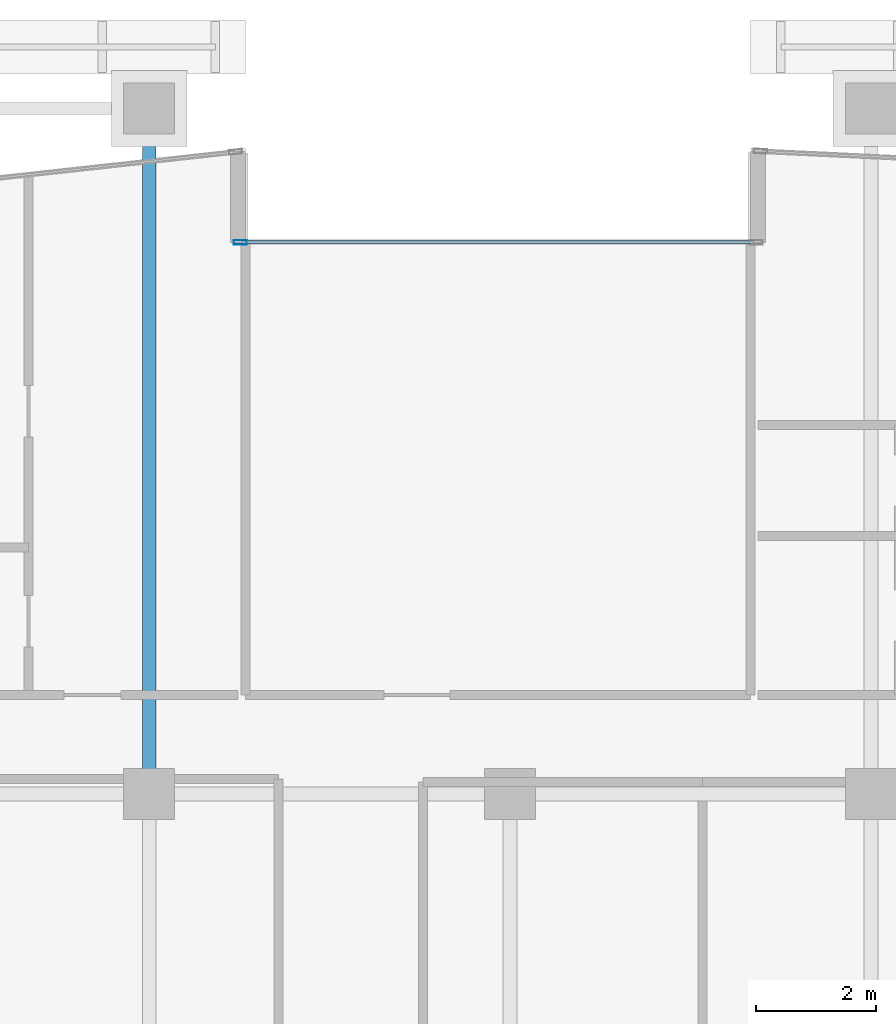
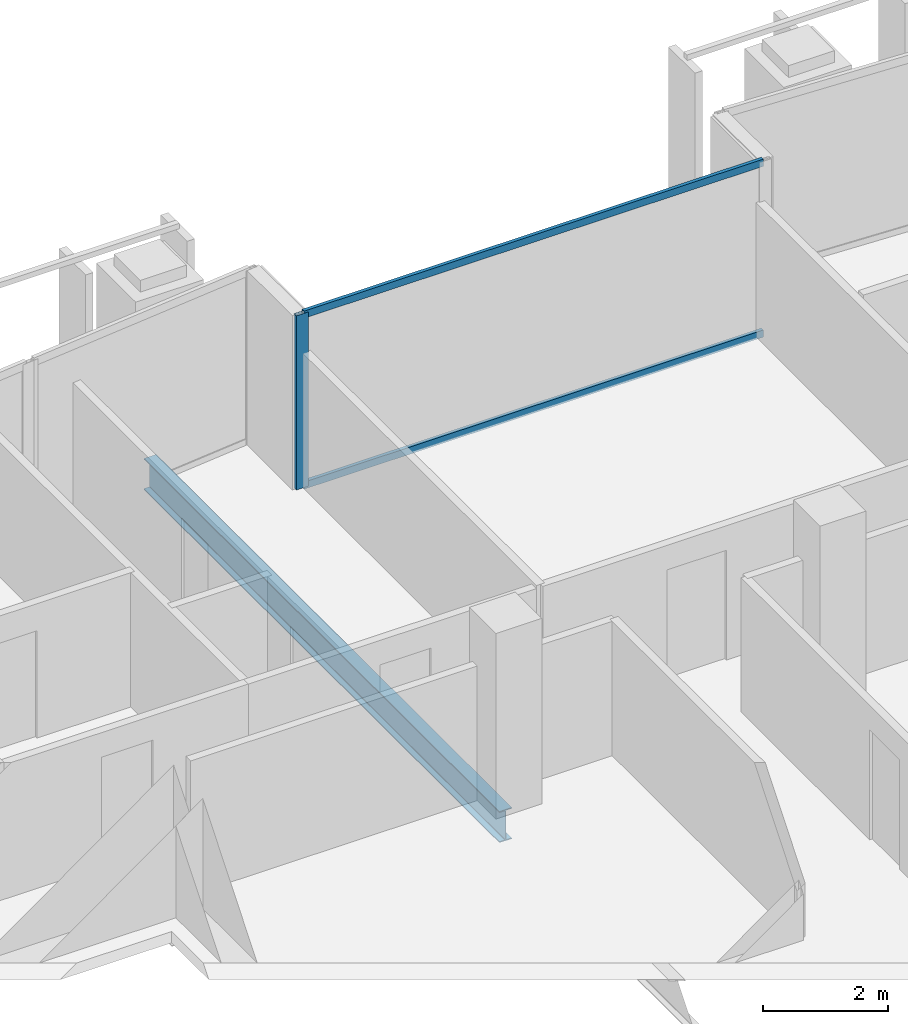
# One storey, part 10 of 29: 3 members, 1 beam, 1 element without a shape of its own.
"""IFC4 building model written with IfcOpenShell, lengths in metres."""

from ifc_helpers import new_model, si_unit, direction, frame, origin, origin_2d, place, context, subcontext, project, spatial, hollow_rectangle, i_section, extrude, material, layer, layer_set, material_profile, profile_set, type_object, element, aggregate, save


model = new_model("IFC4")

# Units and contexts
model_context = context("Model", 3, precision=1e-05, world=origin(), true_north=direction((0.0, 1.0)))
body_context = subcontext(model_context, "Body", "Model", "MODEL_VIEW")
ifc_project = project(units=[si_unit("LENGTHUNIT", "METRE"), si_unit("AREAUNIT", "SQUARE_METRE"), si_unit("VOLUMEUNIT", "CUBIC_METRE"), si_unit("PLANEANGLEUNIT", "RADIAN"), si_unit("MASSUNIT", "GRAM", prefix="KILO")], contexts=[model_context])

# Site, building, storey
site_placement = place(None, origin())
site = spatial("IfcSite", under=ifc_project, at=site_placement, CompositionType="ELEMENT")
building_placement = place(site_placement, origin())
building = spatial("IfcBuilding", under=site, at=building_placement, Name="Tanjung Sevakor Pilgrim Tower", CompositionType="ELEMENT")
storey_placement = place(building_placement, frame((0.0, 0.0, 162.030029296875)))
storey = spatial("IfcBuildingStorey", under=building, at=storey_placement, Name="L45", CompositionType="ELEMENT", Elevation=162.030029296875)

# Beam
ifc_material_1 = material(Name="Steel S355J2", Category="steel")
ifc_material_profile_1 = material_profile(ifc_material_1, i_section(OverallWidth=0.22900390625, OverallDepth=0.6123046875, WebThickness=0.011962890625, FlangeThickness=0.01953125, FilletRadius=0.0126953125, at=origin_2d()))
ifc_profile_set_1 = profile_set([ifc_material_profile_1], Name="Steel S355J2")
beam_type = type_object("IfcBeamType", Name="BM-B-G4-UB_610x229x125", PredefinedType="BEAM", material=ifc_profile_set_1)
beam_placement = place(storey_placement, frame((42.0, 42.60009765625, -0.526123046875), z_axis=(0.0, 1.0, 0.0), x_axis=(-1.0, 0.0, 0.0)))
element("IfcBeam", 1, at=beam_placement, inside=storey, type_object=beam_type, Name="L45 MAIN Girder 009", PredefinedType="BEAM", context=body_context, shape_type="SweptSolid", body=[
    extrude(i_section(OverallWidth=0.22900390625, OverallDepth=0.6123046875, WebThickness=0.011962890625, FlangeThickness=0.01953125, FilletRadius=0.0126953125, at=origin_2d()), origin(), (0.0, 0.0, 1.0), 11.39990234375),
])

# Curtain wall, members
ifc_material_2 = material(Name="Aluminium 6063-T6 and Low-E Glass", Category="aluminium")
ifc_layer = layer(ifc_material_2, 0.179931640625)
ifc_layer_set = layer_set([ifc_layer], Name="CW-SYS-CLEFT")
curtain_wall_type = type_object("IfcCurtainWallType", Name="CW-SYS-CLEFT", PredefinedType="NOTDEFINED", material=ifc_layer_set)
curtain_wall_placement = place(storey_placement, origin())
curtain_wall = element("IfcCurtainWall", 2, at=curtain_wall_placement, inside=storey, type_object=curtain_wall_type, Name="L45 Curtain Wall CW-CLF-L45-25", PredefinedType="NOTDEFINED")
ifc_material_3 = material(Name="Aluminium 6063-T6", Category="aluminium")
ifc_material_profile_2 = material_profile(ifc_material_3, hollow_rectangle(XDim=0.074951171875, YDim=0.219970703125, WallThickness=0.0048828125, at=origin_2d()))
ifc_profile_set_2 = profile_set([ifc_material_profile_2], Name="Aluminium 6063-T6")
member_type_1 = type_object("IfcMemberType", Name="TYPE-CWM-2", PredefinedType="MULLION", material=ifc_profile_set_2)
member_1_placement = place(storey_placement, frame((43.512451171875, 51.77490234375, 0.0), z_axis=(0.0, 0.0, 1.0), x_axis=(0.0, -1.0, 0.0)))
member_1 = element("IfcMember", 3, at=member_1_placement, type_object=member_type_1, Name="CW-CLF mullion 2", PredefinedType="MULLION", context=body_context, shape_type="SweptSolid", body=[
    extrude(hollow_rectangle(XDim=0.074951171875, YDim=0.219970703125, WallThickness=0.0048828125, at=origin_2d()), origin(), (0.0, 0.0, 1.0), 3.409912109375),
])
ifc_material_4 = material(Name="Aluminium 6063-T6", Category="aluminium")
ifc_material_profile_3 = material_profile(ifc_material_4, hollow_rectangle(XDim=0.06494140625, YDim=0.139892578125, WallThickness=0.00390625, at=origin_2d()))
ifc_profile_set_3 = profile_set([ifc_material_profile_3], Name="Aluminium 6063-T6")
member_type_2 = type_object("IfcMemberType", Name="TYPE-CWT-1", PredefinedType="USERDEFINED", material=ifc_profile_set_3)
member_2_placement = place(storey_placement, frame((52.050048828125, 51.77490234375, 0.032470703125), z_axis=(-1.0, 0.0, 0.0), x_axis=(0.0, -1.0, 0.0)))
member_2 = element("IfcMember", 4, at=member_2_placement, type_object=member_type_2, Name="CW-CLF transom 1.1", ObjectType="TRANSOM", PredefinedType="USERDEFINED", context=body_context, shape_type="SweptSolid", body=[
    extrude(hollow_rectangle(XDim=0.06494140625, YDim=0.139892578125, WallThickness=0.00390625, at=origin_2d()), origin(), (0.0, 0.0, 1.0), 8.5),
])
member_3_placement = place(storey_placement, frame((52.050048828125, 51.77490234375, 3.37744140625), z_axis=(-1.0, 0.0, 0.0), x_axis=(0.0, -1.0, 0.0)))
member_3 = element("IfcMember", 5, at=member_3_placement, type_object=member_type_2, Name="CW-CLF transom 1.2", ObjectType="TRANSOM", PredefinedType="USERDEFINED", context=body_context, shape_type="SweptSolid", body=[
    extrude(hollow_rectangle(XDim=0.06494140625, YDim=0.139892578125, WallThickness=0.00390625, at=origin_2d()), origin(), (0.0, 0.0, 1.0), 8.5),
])
aggregate(curtain_wall, [member_1, member_2, member_3])

save(model, "model.ifc")
